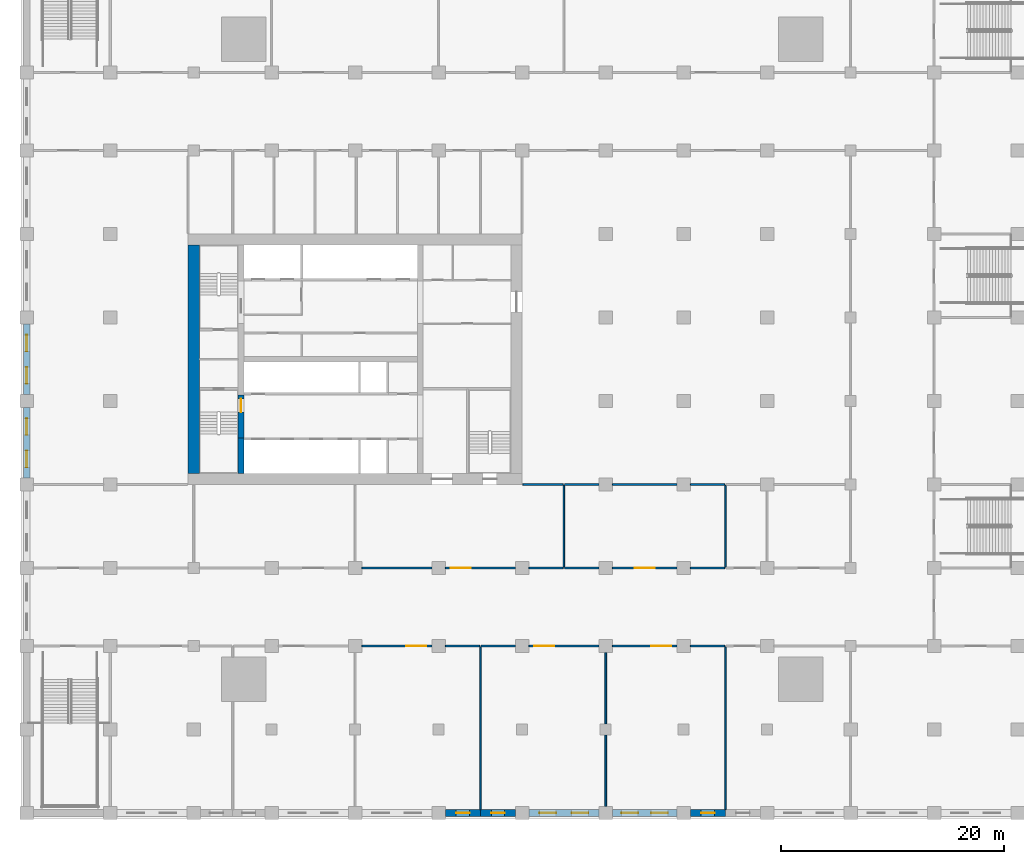
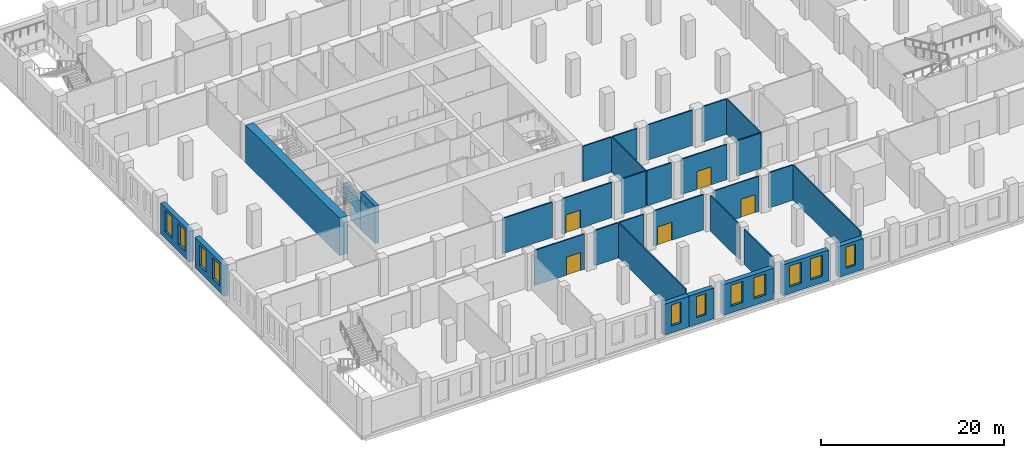
# One storey, part 4 of 32: 32 walls, 11 windows, 6 doors, 17 openings.
"""IFC4 building model written with IfcOpenShell, lengths in metres."""

import ifcopenshell
import ifcopenshell.guid

model = None  # the IFC model being written
_history = None  # IfcOwnerHistory: only IFC2X3 demands one
_inside = {}  # id of a spatial element -> (the spatial element, [elements in it])
_under = {}  # id of a project, library or spatial element -> (it, [spatial elements below it])
_declared = {}  # id of a project -> (the project, [libraries it declares])
_typed = {}  # id of a type object -> (the type object, [elements of that type])
_made_of = {}  # id of a material, layer set ... -> (it, [elements and type objects made of it])


def new_model(schema):
    """Start an empty IFC model of exactly this schema.

    Asked for "IFC4X3", IfcOpenShell would pick the latest addendum, in which some entities
    have other attributes; the version numbers below select the first issue.
    IFC2X3 requires an IfcOwnerHistory on every rooted entity: one is made here for all.
    """
    global model, _history
    if schema == "IFC4X3":
        model = ifcopenshell.file(schema_version=(4, 3, 0, 0))
    else:
        model = ifcopenshell.file(schema=schema)
    _inside.clear()
    _under.clear()
    _declared.clear()
    _typed.clear()
    _made_of.clear()
    _history = None
    if model.schema == "IFC2X3":
        org = make("IfcOrganization", Name="unknown")
        user = make(
            "IfcPersonAndOrganization",
            ThePerson=make("IfcPerson", FamilyName="unknown"),
            TheOrganization=org,
        )
        app = make(
            "IfcApplication",
            ApplicationDeveloper=org,
            Version="unknown",
            ApplicationFullName="unknown",
            ApplicationIdentifier="unknown",
        )
        _history = make(
            "IfcOwnerHistory",
            OwningUser=user,
            OwningApplication=app,
            ChangeAction="ADDED",
            CreationDate=0,
        )
    return model


def make(cls, **values):
    """One entity of the class cls with the attributes given. An attribute that is None is left unset."""
    return model.create_entity(
        cls, **{name: value for name, value in values.items() if value is not None}
    )


def rooted(cls, **values):
    """An entity with a GlobalId (a new one), such as an element, a storey or a relation."""
    return make(cls, GlobalId=ifcopenshell.guid.new(), OwnerHistory=_history, **values)


def si_unit(unit_type, name, prefix=None):
    """IfcSIUnit, for example si_unit("LENGTHUNIT", "METRE", prefix="MILLI")."""
    return make("IfcSIUnit", UnitType=unit_type, Prefix=prefix, Name=name)


def assignment(units):
    """IfcUnitAssignment: the units of a project."""
    return None if units is None else make("IfcUnitAssignment", Units=units)


def point(xyz):
    """IfcCartesianPoint."""
    return None if xyz is None else make("IfcCartesianPoint", Coordinates=xyz)


def direction(xyz):
    """IfcDirection."""
    return None if xyz is None else make("IfcDirection", DirectionRatios=xyz)


def frame(location, z_axis=None, x_axis=None):
    """IfcAxis2Placement3D, a coordinate frame: its origin and axes. An axis left out is left unset."""
    return make(
        "IfcAxis2Placement3D",
        Location=point(location),
        Axis=direction(z_axis),
        RefDirection=direction(x_axis),
    )


def frame_2d(location, x_axis=None):
    """IfcAxis2Placement2D, a coordinate frame in the plane: its origin and x axis."""
    return make(
        "IfcAxis2Placement2D", Location=point(location), RefDirection=direction(x_axis)
    )


def origin():
    """The frame at (0, 0, 0) with its axes left unset."""
    return frame((0.0, 0.0, 0.0))


def place(relative_to, where):
    """IfcLocalPlacement: puts the frame where relative to a parent placement (None: the world)."""
    return make(
        "IfcLocalPlacement", PlacementRelTo=relative_to, RelativePlacement=where
    )


def context(
    kind, dimensions, precision=None, world=None, true_north=None, identifier=None
):
    """IfcGeometricRepresentationContext, for example the 3D "Model" context."""
    return make(
        "IfcGeometricRepresentationContext",
        ContextIdentifier=identifier,
        ContextType=kind,
        CoordinateSpaceDimension=dimensions,
        Precision=precision,
        WorldCoordinateSystem=world,
        TrueNorth=true_north,
    )


def subcontext(parent, identifier, kind, view, scale=None):
    """IfcGeometricRepresentationSubContext, for example "Body" below "Model"."""
    return make(
        "IfcGeometricRepresentationSubContext",
        ContextIdentifier=identifier,
        ContextType=kind,
        ParentContext=parent,
        TargetScale=scale,
        TargetView=view,
    )


def project(units=None, contexts=None):
    """IfcProject with its units and contexts."""
    return rooted(
        "IfcProject",
        Name="project",
        RepresentationContexts=contexts,
        UnitsInContext=assignment(units),
    )


def spatial(cls, under=None, at=None, **own):
    """A site, building, storey or space (cls), placed at a placement, below another one or the project."""
    s = rooted(cls, ObjectPlacement=at, **own)
    if under is not None:
        _under.setdefault(under.id(), (under, []))[1].append(s)
    return s


def profile(cls, at=None, kind="AREA", **sizes):
    """A parametric profile (cls). Its sizes go by their IFC names, for example OverallWidth=200.0."""
    return make(cls, ProfileType=kind, Position=at, **sizes)


def rectangle(**sizes):
    """IfcRectangleProfileDef."""
    return profile("IfcRectangleProfileDef", **sizes)


def extrude(swept, where, along, depth):
    """IfcExtrudedAreaSolid: the profile swept, set in the frame where, extruded along a direction by depth."""
    return make(
        "IfcExtrudedAreaSolid",
        SweptArea=swept,
        Position=where,
        ExtrudedDirection=direction(along),
        Depth=depth,
    )


def shape(context_of_items, identifier, shape_type, items):
    """IfcShapeRepresentation: the items that make up one representation, for example the "Body"."""
    return make(
        "IfcShapeRepresentation",
        ContextOfItems=context_of_items,
        RepresentationIdentifier=identifier,
        RepresentationType=shape_type,
        Items=items,
    )


def material(Name=None, Category=None):
    """IfcMaterial."""
    return make("IfcMaterial", Name=Name, Category=Category)


def layer(
    of_material, thickness, ventilated=None, Name=None, Category=None, Priority=None
):
    """IfcMaterialLayer: one layer of a wall or slab, of a material (None: an air gap)."""
    return make(
        "IfcMaterialLayer",
        Material=of_material,
        LayerThickness=thickness,
        IsVentilated=ventilated,
        Name=Name,
        Category=Category,
        Priority=Priority,
    )


def layer_set(layers, Name=None):
    """IfcMaterialLayerSet."""
    return make("IfcMaterialLayerSet", MaterialLayers=layers, LayerSetName=Name)


def made_of(thing, what):
    """Note that an element or type object is made of a material, layer set ...; save() writes the relation."""
    if what is not None:
        _made_of.setdefault(what.id(), (what, []))[1].append(thing)
    return thing


def type_object(cls, material=None, **own):
    """A type object (cls), such as IfcWallType, which elements share."""
    return made_of(rooted(cls, **own), material)


def element(
    cls,
    number,
    at=None,
    inside=None,
    cuts=None,
    type_object=None,
    material=None,
    context=None,
    identifier="Body",
    shape_type=None,
    held_by="IfcProductDefinitionShape",
    body=None,
    shapes=None,
    **own,
):
    """One element of the class cls, such as IfcWall. Its Tag is "e" and its number.

    at: its placement. inside: the storey or other place that contains it. cuts: it is an
    opening in that element (IfcRelVoidsElement). A single representation is given by context,
    identifier, shape_type and body (its items); several are given by shapes. held_by: the class
    of the entity that holds the representations. save() writes the other relations.
    """
    e = rooted(cls, Tag="e%d" % number, ObjectPlacement=at, **own)
    if body is not None:
        shapes = [shape(context, identifier, shape_type, body)]
    if shapes is not None:
        e.Representation = make(held_by, Representations=shapes)
    if inside is not None:
        _inside.setdefault(inside.id(), (inside, []))[1].append(e)
    if cuts is not None:
        rooted(
            "IfcRelVoidsElement", RelatingBuildingElement=cuts, RelatedOpeningElement=e
        )
    if type_object is not None:
        _typed.setdefault(type_object.id(), (type_object, []))[1].append(e)
    return made_of(e, material)


def fill(opening, filler):
    """IfcRelFillsElement: the door or window that sits in an opening."""
    return rooted(
        "IfcRelFillsElement",
        RelatingOpeningElement=opening,
        RelatedBuildingElement=filler,
    )


def aggregate(whole, parts):
    """IfcRelAggregates: a whole, such as a stair, and the parts it consists of."""
    return rooted("IfcRelAggregates", RelatingObject=whole, RelatedObjects=parts)


def save(model, path):
    """Write the relations noted so far, then the file.

    IfcRelAggregates (storeys below a building ...), IfcRelContainedInSpatialStructure (elements
    in a storey), IfcRelDefinesByType, IfcRelAssociatesMaterial and IfcRelDeclares: one each for
    every whole, place, type object, material and project.
    """
    for whole, parts in _under.values():
        aggregate(whole, parts)
    for where, things in _inside.values():
        rooted(
            "IfcRelContainedInSpatialStructure",
            RelatedElements=things,
            RelatingStructure=where,
        )
    for kind, things in _typed.values():
        rooted("IfcRelDefinesByType", RelatedObjects=things, RelatingType=kind)
    for what, things in _made_of.values():
        rooted("IfcRelAssociatesMaterial", RelatedObjects=things, RelatingMaterial=what)
    for by, libraries in _declared.values():
        rooted("IfcRelDeclares", RelatingContext=by, RelatedDefinitions=libraries)
    model.write(path)


model = new_model("IFC4")

# Units and contexts
model_context = context("Model", 3, precision=1e-05, world=origin(), true_north=direction((0.0, 1.0)))
body_context = subcontext(model_context, "Body", "Model", "MODEL_VIEW")
ifc_project = project(units=[si_unit("LENGTHUNIT", "METRE"), si_unit("AREAUNIT", "SQUARE_METRE"), si_unit("VOLUMEUNIT", "CUBIC_METRE"), si_unit("PLANEANGLEUNIT", "RADIAN"), si_unit("MASSUNIT", "GRAM", prefix="KILO")], contexts=[model_context])

# Site, building, storey
site_placement = place(None, origin())
site = spatial("IfcSite", under=ifc_project, at=site_placement, CompositionType="ELEMENT")
building_placement = place(site_placement, origin())
building = spatial("IfcBuilding", under=site, at=building_placement, Name="Tamorin Gate", CompositionType="ELEMENT")
storey_placement = place(building_placement, frame((0.0, 0.0, 13.5)))
storey = spatial("IfcBuildingStorey", under=building, at=storey_placement, Name="L02", CompositionType="ELEMENT", Elevation=13.5)

# Wall, opening, door
ifc_material_1 = material(Name="Concrete masonry C20/25", Category="masonry")
ifc_layer_1 = layer(ifc_material_1, 0.14990234375)
ifc_layer_set_1 = layer_set([ifc_layer_1], Name="Partition 150")
wall_type_1 = type_object("IfcWallType", Name="Partition 150", PredefinedType="PARTITIONING", material=ifc_layer_set_1)
wall_1_placement = place(storey_placement, frame((45.60009765625, 45.5, 0.0), z_axis=(0.0, 0.0, 1.0), x_axis=(1.0, 0.0, 0.0)))
wall_1 = element("IfcWall", 1, at=wall_1_placement, inside=storey, type_object=wall_type_1, Name="Partition 150 L02", PredefinedType="PARTITIONING", context=body_context, shape_type="SweptSolid", body=[
    extrude(rectangle(XDim=6.2998046875, YDim=0.14990234375, at=frame_2d((3.14990234375, 0.0))), origin(), (0.0, 0.0, 1.0), 4.699951171875),
])
opening_1_placement = place(wall_1_placement, frame((4.0, 0.0, 0.0)))
opening_1 = element("IfcOpeningElement", 2, at=opening_1_placement, cuts=wall_1, Name="Opening DP3", PredefinedType="OPENING", context=body_context, shape_type="SweptSolid", body=[
    extrude(rectangle(XDim=1.800048828125, YDim=2.39990234375, at=frame_2d((0.89990234375, 1.199951171875))), frame((0.0, 0.0849609375, 0.0), z_axis=(0.0, -1.0, 0.0), x_axis=(1.0, 0.0, 0.0)), (0.0, 0.0, 1.0), 0.169921875),
])
ifc_material_2 = material(Name="Steel and glass", Category="steel")
door_type_1 = type_object("IfcDoorType", Name="Door pair 1800", OperationType="DOUBLE_DOOR_SINGLE_SWING", PredefinedType="DOOR", material=ifc_material_2)
door_1_placement = place(opening_1_placement, origin())
door_1 = element("IfcDoor", 3, at=door_1_placement, inside=storey, type_object=door_type_1, Name="Door pair 1800 L02", OperationType="SINGLE_SWING_LEFT", OverallHeight=2.39990234375, OverallWidth=1.800048828125, PredefinedType="DOOR", context=body_context, shape_type="SweptSolid", body=[
    extrude(rectangle(XDim=1.800048828125, YDim=2.39990234375, at=frame_2d((0.89990234375, 1.199951171875))), frame((0.0, 0.02490234375, 0.0), z_axis=(0.0, -1.0, 0.0), x_axis=(1.0, 0.0, 0.0)), (0.0, 0.0, 1.0), 0.050048828125),
])
fill(opening_1, door_1)

# Walls
for number, where, z_axis, x_axis, name in (
    (4, (53.10009765625, 45.5, 0.0), (0.0, 0.0, 1.0), (1.0, 0.0, 0.0), "Partition 150 L02"),
    (5, (56.324951171875, 45.5, 0.0), (0.0, 0.0, 1.0), (1.0, 0.0, 0.0), "Partition 150 L02"),
):
    element("IfcWall", number, at=place(storey_placement, frame(where, z_axis=z_axis, x_axis=x_axis)), inside=storey, type_object=wall_type_1, Name=name, PredefinedType="PARTITIONING", context=body_context, shape_type="SweptSolid", body=[
        extrude(rectangle(XDim=3.074951171875, YDim=0.14990234375, at=frame_2d((1.53759765625, 0.0))), origin(), (0.0, 0.0, 1.0), 4.699951171875),
    ])

# Wall, opening, door
wall_2_placement = place(storey_placement, frame((60.60009765625, 45.5, 0.0), z_axis=(0.0, 0.0, 1.0), x_axis=(1.0, 0.0, 0.0)))
wall_2 = element("IfcWall", 6, at=wall_2_placement, inside=storey, type_object=wall_type_1, Name="Partition 150 L02", PredefinedType="PARTITIONING", context=body_context, shape_type="SweptSolid", body=[
    extrude(rectangle(XDim=6.2998046875, YDim=0.14990234375, at=frame_2d((3.14990234375, 0.0))), origin(), (0.0, 0.0, 1.0), 4.699951171875),
])
opening_2_placement = place(wall_2_placement, frame((0.5, 0.0, 0.0)))
opening_2 = element("IfcOpeningElement", 7, at=opening_2_placement, cuts=wall_2, Name="Opening DP3", PredefinedType="OPENING", context=body_context, shape_type="SweptSolid", body=[
    extrude(rectangle(XDim=1.800048828125, YDim=2.39990234375, at=frame_2d((0.89990234375, 1.199951171875))), frame((0.0, 0.0849609375, 0.0), z_axis=(0.0, -1.0, 0.0), x_axis=(1.0, 0.0, 0.0)), (0.0, 0.0, 1.0), 0.169921875),
])
door_2_placement = place(opening_2_placement, origin())
door_2 = element("IfcDoor", 8, at=door_2_placement, inside=storey, type_object=door_type_1, Name="Door pair 1800 L02", OperationType="SINGLE_SWING_LEFT", OverallHeight=2.39990234375, OverallWidth=1.800048828125, PredefinedType="DOOR", context=body_context, shape_type="SweptSolid", body=[
    extrude(rectangle(XDim=1.800048828125, YDim=2.39990234375, at=frame_2d((0.89990234375, 1.199951171875))), frame((0.0, 0.02490234375, 0.0), z_axis=(0.0, -1.0, 0.0), x_axis=(1.0, 0.0, 0.0)), (0.0, 0.0, 1.0), 0.050048828125),
])
fill(opening_2, door_2)

wall_3_placement = place(storey_placement, frame((68.10009765625, 45.5, 0.0), z_axis=(0.0, 0.0, 1.0), x_axis=(1.0, 0.0, 0.0)))
wall_3 = element("IfcWall", 9, at=wall_3_placement, inside=storey, type_object=wall_type_1, Name="Partition 150 L02", PredefinedType="PARTITIONING", context=body_context, shape_type="SweptSolid", body=[
    extrude(rectangle(XDim=5.7998046875, YDim=0.14990234375, at=frame_2d((2.89990234375, 0.0))), origin(), (0.0, 0.0, 1.0), 4.699951171875),
])
opening_3_placement = place(wall_3_placement, frame((3.5, 0.0, 0.0)))
opening_3 = element("IfcOpeningElement", 10, at=opening_3_placement, cuts=wall_3, Name="Opening DP3", PredefinedType="OPENING", context=body_context, shape_type="SweptSolid", body=[
    extrude(rectangle(XDim=1.800048828125, YDim=2.39990234375, at=frame_2d((0.89990234375, 1.199951171875))), frame((0.0, 0.0849609375, 0.0), z_axis=(0.0, -1.0, 0.0), x_axis=(1.0, 0.0, 0.0)), (0.0, 0.0, 1.0), 0.169921875),
])
door_3_placement = place(opening_3_placement, origin())
door_3 = element("IfcDoor", 11, at=door_3_placement, inside=storey, type_object=door_type_1, Name="Door pair 1800 L02", OperationType="SINGLE_SWING_LEFT", OverallHeight=2.39990234375, OverallWidth=1.800048828125, PredefinedType="DOOR", context=body_context, shape_type="SweptSolid", body=[
    extrude(rectangle(XDim=1.800048828125, YDim=2.39990234375, at=frame_2d((0.89990234375, 1.199951171875))), frame((0.0, 0.02490234375, 0.0), z_axis=(0.0, -1.0, 0.0), x_axis=(1.0, 0.0, 0.0)), (0.0, 0.0, 1.0), 0.050048828125),
])
fill(opening_3, door_3)

# Walls
wall_4_placement = place(storey_placement, frame((75.10009765625, 45.5, 0.0), z_axis=(0.0, 0.0, 1.0), x_axis=(1.0, 0.0, 0.0)))
element("IfcWall", 12, at=wall_4_placement, inside=storey, type_object=wall_type_1, Name="Partition 150 L02", PredefinedType="PARTITIONING", context=body_context, shape_type="SweptSolid", body=[
    extrude(rectangle(XDim=3.074951171875, YDim=0.14990234375, at=frame_2d((1.53759765625, 0.0))), origin(), (0.0, 0.0, 1.0), 4.699951171875),
])
wall_5_placement = place(storey_placement, frame((45.60009765625, 52.5, 0.0), z_axis=(0.0, 0.0, 1.0), x_axis=(1.0, 0.0, 0.0)))
element("IfcWall", 13, at=wall_5_placement, inside=storey, type_object=wall_type_1, Name="Partition 150 L02", PredefinedType="PARTITIONING", context=body_context, shape_type="SweptSolid", body=[
    extrude(rectangle(XDim=6.2998046875, YDim=0.14990234375, at=frame_2d((3.14990234375, 0.0))), origin(), (0.0, 0.0, 1.0), 4.699951171875),
])

# Wall, opening, door
wall_6_placement = place(storey_placement, frame((59.39990234375, 52.5, 0.0), z_axis=(0.0, 0.0, 1.0), x_axis=(-1.0, 0.0, 0.0)))
wall_6 = element("IfcWall", 14, at=wall_6_placement, inside=storey, type_object=wall_type_1, Name="Partition 150 L02", PredefinedType="PARTITIONING", context=body_context, shape_type="SweptSolid", body=[
    extrude(rectangle(XDim=6.2998046875, YDim=0.14990234375, at=frame_2d((3.14990234375, 0.0))), origin(), (0.0, 0.0, 1.0), 4.699951171875),
])
opening_4_placement = place(wall_6_placement, frame((4.0, 0.0, 0.0)))
opening_4 = element("IfcOpeningElement", 15, at=opening_4_placement, cuts=wall_6, Name="Opening DP3", PredefinedType="OPENING", context=body_context, shape_type="SweptSolid", body=[
    extrude(rectangle(XDim=1.800048828125, YDim=2.39990234375, at=frame_2d((0.89990234375, 1.199951171875))), frame((0.0, 0.0849609375, 0.0), z_axis=(0.0, -1.0, 0.0), x_axis=(1.0, 0.0, 0.0)), (0.0, 0.0, 1.0), 0.169921875),
])
door_4_placement = place(opening_4_placement, origin())
door_4 = element("IfcDoor", 16, at=door_4_placement, inside=storey, type_object=door_type_1, Name="Door pair 1800 L02", OperationType="SINGLE_SWING_LEFT", OverallHeight=2.39990234375, OverallWidth=1.800048828125, PredefinedType="DOOR", context=body_context, shape_type="SweptSolid", body=[
    extrude(rectangle(XDim=1.800048828125, YDim=2.39990234375, at=frame_2d((0.89990234375, 1.199951171875))), frame((0.0, 0.02490234375, 0.0), z_axis=(0.0, -1.0, 0.0), x_axis=(1.0, 0.0, 0.0)), (0.0, 0.0, 1.0), 0.050048828125),
])
fill(opening_4, door_4)

# Walls
for number, where, z_axis, x_axis, name in (
    (17, (60.60009765625, 52.5, 0.0), (0.0, 0.0, 1.0), (1.0, 0.0, 0.0), "Partition 150 L02"),
    (18, (63.824951171875, 52.5, 0.0), (0.0, 0.0, 1.0), (1.0, 0.0, 0.0), "Partition 150 L02"),
):
    element("IfcWall", number, at=place(storey_placement, frame(where, z_axis=z_axis, x_axis=x_axis)), inside=storey, type_object=wall_type_1, Name=name, PredefinedType="PARTITIONING", context=body_context, shape_type="SweptSolid", body=[
        extrude(rectangle(XDim=3.074951171875, YDim=0.14990234375, at=frame_2d((1.53759765625, 0.0))), origin(), (0.0, 0.0, 1.0), 4.699951171875),
    ])

# Wall, opening, door
wall_7_placement = place(storey_placement, frame((73.89990234375, 52.5, 0.0), z_axis=(0.0, 0.0, 1.0), x_axis=(-1.0, 0.0, 0.0)))
wall_7 = element("IfcWall", 19, at=wall_7_placement, inside=storey, type_object=wall_type_1, Name="Partition 150 L02", PredefinedType="PARTITIONING", context=body_context, shape_type="SweptSolid", body=[
    extrude(rectangle(XDim=5.7998046875, YDim=0.14990234375, at=frame_2d((2.89990234375, 0.0))), origin(), (0.0, 0.0, 1.0), 4.699951171875),
])
opening_5_placement = place(wall_7_placement, frame((2.0, 0.0, 0.0)))
opening_5 = element("IfcOpeningElement", 20, at=opening_5_placement, cuts=wall_7, Name="Opening DP3", PredefinedType="OPENING", context=body_context, shape_type="SweptSolid", body=[
    extrude(rectangle(XDim=1.800048828125, YDim=2.39990234375, at=frame_2d((0.89990234375, 1.199951171875))), frame((0.0, 0.0849609375, 0.0), z_axis=(0.0, -1.0, 0.0), x_axis=(1.0, 0.0, 0.0)), (0.0, 0.0, 1.0), 0.169921875),
])
door_5_placement = place(opening_5_placement, origin())
door_5 = element("IfcDoor", 21, at=door_5_placement, inside=storey, type_object=door_type_1, Name="Door pair 1800 L02", OperationType="SINGLE_SWING_LEFT", OverallHeight=2.39990234375, OverallWidth=1.800048828125, PredefinedType="DOOR", context=body_context, shape_type="SweptSolid", body=[
    extrude(rectangle(XDim=1.800048828125, YDim=2.39990234375, at=frame_2d((0.89990234375, 1.199951171875))), frame((0.0, 0.02490234375, 0.0), z_axis=(0.0, -1.0, 0.0), x_axis=(1.0, 0.0, 0.0)), (0.0, 0.0, 1.0), 0.050048828125),
])
fill(opening_5, door_5)

# Walls
wall_8_placement = place(storey_placement, frame((75.10009765625, 52.5, 0.0), z_axis=(0.0, 0.0, 1.0), x_axis=(1.0, 0.0, 0.0)))
element("IfcWall", 22, at=wall_8_placement, inside=storey, type_object=wall_type_1, Name="Partition 150 L02", PredefinedType="PARTITIONING", context=body_context, shape_type="SweptSolid", body=[
    extrude(rectangle(XDim=3.074951171875, YDim=0.14990234375, at=frame_2d((1.53759765625, 0.0))), origin(), (0.0, 0.0, 1.0), 4.699951171875),
])
wall_9_placement = place(storey_placement, frame((60.074951171875, 60.0, 0.0), z_axis=(0.0, 0.0, 1.0), x_axis=(1.0, 0.0, 0.0)))
element("IfcWall", 23, at=wall_9_placement, inside=storey, type_object=wall_type_1, Name="Partition 150 L02", PredefinedType="PARTITIONING", context=body_context, shape_type="SweptSolid", body=[
    extrude(rectangle(XDim=3.60009765625, YDim=0.14990234375, at=frame_2d((1.800048828125, 0.0))), origin(), (0.0, 0.0, 1.0), 4.699951171875),
])
wall_10_placement = place(storey_placement, frame((63.824951171875, 60.0, 0.0), z_axis=(0.0, 0.0, 1.0), x_axis=(1.0, 0.0, 0.0)))
element("IfcWall", 24, at=wall_10_placement, inside=storey, type_object=wall_type_1, Name="Partition 150 L02", PredefinedType="PARTITIONING", context=body_context, shape_type="SweptSolid", body=[
    extrude(rectangle(XDim=3.074951171875, YDim=0.14990234375, at=frame_2d((1.53759765625, 0.0))), origin(), (0.0, 0.0, 1.0), 4.699951171875),
])
wall_11_placement = place(storey_placement, frame((68.10009765625, 60.0, 0.0), z_axis=(0.0, 0.0, 1.0), x_axis=(1.0, 0.0, 0.0)))
element("IfcWall", 25, at=wall_11_placement, inside=storey, type_object=wall_type_1, Name="Partition 150 L02", PredefinedType="PARTITIONING", context=body_context, shape_type="SweptSolid", body=[
    extrude(rectangle(XDim=5.7998046875, YDim=0.14990234375, at=frame_2d((2.89990234375, 0.0))), origin(), (0.0, 0.0, 1.0), 4.699951171875),
])
wall_12_placement = place(storey_placement, frame((75.10009765625, 60.0, 0.0), z_axis=(0.0, 0.0, 1.0), x_axis=(1.0, 0.0, 0.0)))
element("IfcWall", 26, at=wall_12_placement, inside=storey, type_object=wall_type_1, Name="Partition 150 L02", PredefinedType="PARTITIONING", context=body_context, shape_type="SweptSolid", body=[
    extrude(rectangle(XDim=3.074951171875, YDim=0.14990234375, at=frame_2d((1.53759765625, 0.0))), origin(), (0.0, 0.0, 1.0), 4.699951171875),
])
wall_13_placement = place(storey_placement, frame((56.25, 30.800048828125, 0.0), z_axis=(0.0, 0.0, 1.0), x_axis=(0.0, 1.0, 0.0)))
element("IfcWall", 27, at=wall_13_placement, inside=storey, type_object=wall_type_1, Name="Partition 150 L02", PredefinedType="PARTITIONING", context=body_context, shape_type="SweptSolid", body=[
    extrude(rectangle(XDim=14.625, YDim=0.14990234375, at=frame_2d((7.3125, 0.0))), origin(), (0.0, 0.0, 1.0), 4.699951171875),
])
for number, where, z_axis, x_axis, name in (
    (28, (67.5, 31.10009765625, 0.0), (0.0, 0.0, 1.0), (0.0, 1.0, 0.0), "Partition 150 L02"),
    (29, (67.5, 38.5, 0.0), (0.0, 0.0, 1.0), (0.0, 1.0, 0.0), "Partition 150 L02"),
):
    element("IfcWall", number, at=place(storey_placement, frame(where, z_axis=z_axis, x_axis=x_axis)), inside=storey, type_object=wall_type_1, Name=name, PredefinedType="PARTITIONING", context=body_context, shape_type="SweptSolid", body=[
        extrude(rectangle(XDim=6.39990234375, YDim=0.14990234375, at=frame_2d((3.199951171875, 0.0))), origin(), (0.0, 0.0, 1.0), 4.699951171875),
    ])
wall_14_placement = place(storey_placement, frame((78.25, 30.800048828125, 0.0), z_axis=(0.0, 0.0, 1.0), x_axis=(0.0, 1.0, 0.0)))
element("IfcWall", 30, at=wall_14_placement, inside=storey, type_object=wall_type_1, Name="Partition 150 L02", PredefinedType="PARTITIONING", context=body_context, shape_type="SweptSolid", body=[
    extrude(rectangle(XDim=14.625, YDim=0.14990234375, at=frame_2d((7.3125, 0.0))), origin(), (0.0, 0.0, 1.0), 4.699951171875),
])
for number, where, z_axis, x_axis, name in (
    (31, (78.25, 52.574951171875, 0.0), (0.0, 0.0, 1.0), (0.0, 1.0, 0.0), "Partition 150 L02"),
    (32, (63.75, 52.574951171875, 0.0), (0.0, 0.0, 1.0), (0.0, 1.0, 0.0), "Partition 150 L02"),
):
    element("IfcWall", number, at=place(storey_placement, frame(where, z_axis=z_axis, x_axis=x_axis)), inside=storey, type_object=wall_type_1, Name=name, PredefinedType="PARTITIONING", context=body_context, shape_type="SweptSolid", body=[
        extrude(rectangle(XDim=7.35009765625, YDim=0.14990234375, at=frame_2d((3.675048828125, 0.0))), origin(), (0.0, 0.0, 1.0), 4.699951171875),
    ])

# Wall, opening, window
ifc_material_3 = material(Name="Precast concrete C40/50", Category="concrete")
ifc_layer_2 = layer(ifc_material_3, 0.60009765625)
ifc_layer_set_2 = layer_set([ifc_layer_2], Name="Precast concrete C40/50")
wall_type_2 = type_object("IfcWallType", Name="Precast plinth wall 600", PredefinedType="PARTITIONING", material=ifc_layer_set_2)
wall_15_placement = place(storey_placement, frame((53.10009765625, 30.5, 0.0), z_axis=(0.0, 0.0, 1.0), x_axis=(1.0, 0.0, 0.0)))
wall_15 = element("IfcWall", 33, at=wall_15_placement, inside=storey, type_object=wall_type_2, Name="Precast plinth wall 600 L02", PredefinedType="PARTITIONING", context=body_context, shape_type="SweptSolid", body=[
    extrude(rectangle(XDim=3.14990234375, YDim=0.60009765625, at=frame_2d((1.574951171875, 0.0))), origin(), (0.0, 0.0, 1.0), 4.10009765625),
])
opening_6_placement = place(wall_15_placement, frame((0.97509765625, 0.0, 0.89990234375)))
opening_6 = element("IfcOpeningElement", 34, at=opening_6_placement, cuts=wall_15, Name="Opening PWN4", PredefinedType="OPENING", context=body_context, shape_type="SweptSolid", body=[
    extrude(rectangle(XDim=1.199951171875, YDim=2.800048828125, at=frame_2d((0.60009765625, 1.39990234375))), frame((0.0, 0.31005859375, 0.0), z_axis=(0.0, -1.0, 0.0), x_axis=(1.0, 0.0, 0.0)), (0.0, 0.0, 1.0), 0.6201171875),
])
ifc_material_4 = material(Name="Aluminium and glass", Category="aluminium")
window_type_1 = type_object("IfcWindowType", Name="Plinth window 1200x2800", PartitioningType="DOUBLE_PANEL_VERTICAL", PredefinedType="WINDOW", material=ifc_material_4)
window_1_placement = place(opening_6_placement, origin())
window_1 = element("IfcWindow", 35, at=window_1_placement, inside=storey, type_object=window_type_1, Name="Plinth window 1200x2800", OverallHeight=2.800048828125, OverallWidth=1.199951171875, PartitioningType="SINGLE_PANEL", PredefinedType="WINDOW", context=body_context, shape_type="SweptSolid", body=[
    extrude(rectangle(XDim=1.199951171875, YDim=2.800048828125, at=frame_2d((0.60009765625, 1.39990234375))), frame((0.0, 0.030029296875, 0.0), z_axis=(0.0, -1.0, 0.0), x_axis=(1.0, 0.0, 0.0)), (0.0, 0.0, 1.0), 0.06005859375),
])
fill(opening_6, window_1)

wall_16_placement = place(storey_placement, frame((56.25, 30.5, 0.0), z_axis=(0.0, 0.0, 1.0), x_axis=(1.0, 0.0, 0.0)))
wall_16 = element("IfcWall", 36, at=wall_16_placement, inside=storey, type_object=wall_type_2, Name="Precast plinth wall 600 L02", PredefinedType="PARTITIONING", context=body_context, shape_type="SweptSolid", body=[
    extrude(rectangle(XDim=3.14990234375, YDim=0.60009765625, at=frame_2d((1.574951171875, 0.0))), origin(), (0.0, 0.0, 1.0), 4.10009765625),
])
opening_7_placement = place(wall_16_placement, frame((0.97509765625, 0.0, 0.89990234375)))
opening_7 = element("IfcOpeningElement", 37, at=opening_7_placement, cuts=wall_16, Name="Opening PWN4", PredefinedType="OPENING", context=body_context, shape_type="SweptSolid", body=[
    extrude(rectangle(XDim=1.199951171875, YDim=2.800048828125, at=frame_2d((0.60009765625, 1.39990234375))), frame((0.0, 0.31005859375, 0.0), z_axis=(0.0, -1.0, 0.0), x_axis=(1.0, 0.0, 0.0)), (0.0, 0.0, 1.0), 0.6201171875),
])
window_2_placement = place(opening_7_placement, origin())
window_2 = element("IfcWindow", 38, at=window_2_placement, inside=storey, type_object=window_type_1, Name="Plinth window 1200x2800", OverallHeight=2.800048828125, OverallWidth=1.199951171875, PartitioningType="SINGLE_PANEL", PredefinedType="WINDOW", context=body_context, shape_type="SweptSolid", body=[
    extrude(rectangle(XDim=1.199951171875, YDim=2.800048828125, at=frame_2d((0.60009765625, 1.39990234375))), frame((0.0, 0.030029296875, 0.0), z_axis=(0.0, -1.0, 0.0), x_axis=(1.0, 0.0, 0.0)), (0.0, 0.0, 1.0), 0.06005859375),
])
fill(opening_7, window_2)

# Wall, openings, windows
wall_17_placement = place(storey_placement, frame((60.60009765625, 30.5, 0.0), z_axis=(0.0, 0.0, 1.0), x_axis=(1.0, 0.0, 0.0)))
wall_17 = element("IfcWall", 39, at=wall_17_placement, inside=storey, type_object=wall_type_2, Name="Precast plinth wall 600 L02", PredefinedType="PARTITIONING", context=body_context, shape_type="SweptSolid", body=[
    extrude(rectangle(XDim=6.2998046875, YDim=0.60009765625, at=frame_2d((3.14990234375, 0.0))), origin(), (0.0, 0.0, 1.0), 4.10009765625),
])
opening_8_placement = place(wall_17_placement, frame((0.950927734375, 0.0, 0.89990234375)))
opening_8 = element("IfcOpeningElement", 40, at=opening_8_placement, cuts=wall_17, Name="Opening PWN5", PredefinedType="OPENING", context=body_context, shape_type="SweptSolid", body=[
    extrude(rectangle(XDim=1.5, YDim=2.800048828125, at=frame_2d((0.75, 1.39990234375))), frame((0.0, 0.31005859375, 0.0), z_axis=(0.0, -1.0, 0.0), x_axis=(1.0, 0.0, 0.0)), (0.0, 0.0, 1.0), 0.6201171875),
])
opening_9_placement = place(wall_17_placement, frame((3.84912109375, 0.0, 0.89990234375)))
opening_9 = element("IfcOpeningElement", 41, at=opening_9_placement, cuts=wall_17, Name="Opening PWN5", PredefinedType="OPENING", context=body_context, shape_type="SweptSolid", body=[
    extrude(rectangle(XDim=1.5, YDim=2.800048828125, at=frame_2d((0.75, 1.39990234375))), frame((0.0, 0.31005859375, 0.0), z_axis=(0.0, -1.0, 0.0), x_axis=(1.0, 0.0, 0.0)), (0.0, 0.0, 1.0), 0.6201171875),
])
window_type_2 = type_object("IfcWindowType", Name="Plinth window 1500x2800", PartitioningType="DOUBLE_PANEL_VERTICAL", PredefinedType="WINDOW", material=ifc_material_4)
window_3_placement = place(opening_8_placement, origin())
window_3 = element("IfcWindow", 42, at=window_3_placement, inside=storey, type_object=window_type_2, Name="Plinth window 1500x2800", OverallHeight=2.800048828125, OverallWidth=1.5, PartitioningType="SINGLE_PANEL", PredefinedType="WINDOW", context=body_context, shape_type="SweptSolid", body=[
    extrude(rectangle(XDim=1.5, YDim=2.800048828125, at=frame_2d((0.75, 1.39990234375))), frame((0.0, 0.030029296875, 0.0), z_axis=(0.0, -1.0, 0.0), x_axis=(1.0, 0.0, 0.0)), (0.0, 0.0, 1.0), 0.06005859375),
])
fill(opening_8, window_3)
window_4_placement = place(opening_9_placement, origin())
window_4 = element("IfcWindow", 43, at=window_4_placement, inside=storey, type_object=window_type_2, Name="Plinth window 1500x2800", OverallHeight=2.800048828125, OverallWidth=1.5, PartitioningType="SINGLE_PANEL", PredefinedType="WINDOW", context=body_context, shape_type="SweptSolid", body=[
    extrude(rectangle(XDim=1.5, YDim=2.800048828125, at=frame_2d((0.75, 1.39990234375))), frame((0.0, 0.030029296875, 0.0), z_axis=(0.0, -1.0, 0.0), x_axis=(1.0, 0.0, 0.0)), (0.0, 0.0, 1.0), 0.06005859375),
])
fill(opening_9, window_4)

wall_18_placement = place(storey_placement, frame((68.10009765625, 30.5, 0.0), z_axis=(0.0, 0.0, 1.0), x_axis=(1.0, 0.0, 0.0)))
wall_18 = element("IfcWall", 44, at=wall_18_placement, inside=storey, type_object=wall_type_2, Name="Precast plinth wall 600 L02", PredefinedType="PARTITIONING", context=body_context, shape_type="SweptSolid", body=[
    extrude(rectangle(XDim=5.7998046875, YDim=0.60009765625, at=frame_2d((2.89990234375, 0.0))), origin(), (0.0, 0.0, 1.0), 4.10009765625),
])
opening_10_placement = place(wall_18_placement, frame((0.81591796875, 0.0, 0.89990234375)))
opening_10 = element("IfcOpeningElement", 45, at=opening_10_placement, cuts=wall_18, Name="Opening PWN5", PredefinedType="OPENING", context=body_context, shape_type="SweptSolid", body=[
    extrude(rectangle(XDim=1.5, YDim=2.800048828125, at=frame_2d((0.75, 1.39990234375))), frame((0.0, 0.31005859375, 0.0), z_axis=(0.0, -1.0, 0.0), x_axis=(1.0, 0.0, 0.0)), (0.0, 0.0, 1.0), 0.6201171875),
])
opening_11_placement = place(wall_18_placement, frame((3.48388671875, 0.0, 0.89990234375)))
opening_11 = element("IfcOpeningElement", 46, at=opening_11_placement, cuts=wall_18, Name="Opening PWN5", PredefinedType="OPENING", context=body_context, shape_type="SweptSolid", body=[
    extrude(rectangle(XDim=1.5, YDim=2.800048828125, at=frame_2d((0.75, 1.39990234375))), frame((0.0, 0.31005859375, 0.0), z_axis=(0.0, -1.0, 0.0), x_axis=(1.0, 0.0, 0.0)), (0.0, 0.0, 1.0), 0.6201171875),
])
window_5_placement = place(opening_10_placement, origin())
window_5 = element("IfcWindow", 47, at=window_5_placement, inside=storey, type_object=window_type_2, Name="Plinth window 1500x2800", OverallHeight=2.800048828125, OverallWidth=1.5, PartitioningType="SINGLE_PANEL", PredefinedType="WINDOW", context=body_context, shape_type="SweptSolid", body=[
    extrude(rectangle(XDim=1.5, YDim=2.800048828125, at=frame_2d((0.75, 1.39990234375))), frame((0.0, 0.030029296875, 0.0), z_axis=(0.0, -1.0, 0.0), x_axis=(1.0, 0.0, 0.0)), (0.0, 0.0, 1.0), 0.06005859375),
])
fill(opening_10, window_5)
window_6_placement = place(opening_11_placement, origin())
window_6 = element("IfcWindow", 48, at=window_6_placement, inside=storey, type_object=window_type_2, Name="Plinth window 1500x2800", OverallHeight=2.800048828125, OverallWidth=1.5, PartitioningType="SINGLE_PANEL", PredefinedType="WINDOW", context=body_context, shape_type="SweptSolid", body=[
    extrude(rectangle(XDim=1.5, YDim=2.800048828125, at=frame_2d((0.75, 1.39990234375))), frame((0.0, 0.030029296875, 0.0), z_axis=(0.0, -1.0, 0.0), x_axis=(1.0, 0.0, 0.0)), (0.0, 0.0, 1.0), 0.06005859375),
])
fill(opening_11, window_6)

# Wall, opening, window
wall_19_placement = place(storey_placement, frame((75.10009765625, 30.5, 0.0), z_axis=(0.0, 0.0, 1.0), x_axis=(1.0, 0.0, 0.0)))
wall_19 = element("IfcWall", 49, at=wall_19_placement, inside=storey, type_object=wall_type_2, Name="Precast plinth wall 600 L02", PredefinedType="PARTITIONING", context=body_context, shape_type="SweptSolid", body=[
    extrude(rectangle(XDim=3.14990234375, YDim=0.60009765625, at=frame_2d((1.574951171875, 0.0))), origin(), (0.0, 0.0, 1.0), 4.10009765625),
])
opening_12_placement = place(wall_19_placement, frame((0.97509765625, 0.0, 0.89990234375)))
opening_12 = element("IfcOpeningElement", 50, at=opening_12_placement, cuts=wall_19, Name="Opening PWN4", PredefinedType="OPENING", context=body_context, shape_type="SweptSolid", body=[
    extrude(rectangle(XDim=1.199951171875, YDim=2.800048828125, at=frame_2d((0.60009765625, 1.39990234375))), frame((0.0, 0.31005859375, 0.0), z_axis=(0.0, -1.0, 0.0), x_axis=(1.0, 0.0, 0.0)), (0.0, 0.0, 1.0), 0.6201171875),
])
window_7_placement = place(opening_12_placement, origin())
window_7 = element("IfcWindow", 51, at=window_7_placement, inside=storey, type_object=window_type_1, Name="Plinth window 1200x2800", OverallHeight=2.800048828125, OverallWidth=1.199951171875, PartitioningType="SINGLE_PANEL", PredefinedType="WINDOW", context=body_context, shape_type="SweptSolid", body=[
    extrude(rectangle(XDim=1.199951171875, YDim=2.800048828125, at=frame_2d((0.60009765625, 1.39990234375))), frame((0.0, 0.030029296875, 0.0), z_axis=(0.0, -1.0, 0.0), x_axis=(1.0, 0.0, 0.0)), (0.0, 0.0, 1.0), 0.06005859375),
])
fill(opening_12, window_7)

# Wall, openings, windows
wall_20_placement = place(storey_placement, frame((15.5, 60.60009765625, 0.0), z_axis=(0.0, 0.0, 1.0), x_axis=(0.0, 1.0, 0.0)))
wall_20 = element("IfcWall", 52, at=wall_20_placement, inside=storey, type_object=wall_type_2, Name="Precast plinth wall 600 L02", PredefinedType="PARTITIONING", context=body_context, shape_type="SweptSolid", body=[
    extrude(rectangle(XDim=6.2998046875, YDim=0.60009765625, at=frame_2d((3.14990234375, 0.0))), origin(), (0.0, 0.0, 1.0), 4.10009765625),
])
opening_13_placement = place(wall_20_placement, frame((0.950927734375, 0.0, 0.89990234375)))
opening_13 = element("IfcOpeningElement", 53, at=opening_13_placement, cuts=wall_20, Name="Opening PWN5", PredefinedType="OPENING", context=body_context, shape_type="SweptSolid", body=[
    extrude(rectangle(XDim=1.5, YDim=2.800048828125, at=frame_2d((0.75, 1.39990234375))), frame((0.0, 0.31005859375, 0.0), z_axis=(0.0, -1.0, 0.0), x_axis=(1.0, 0.0, 0.0)), (0.0, 0.0, 1.0), 0.6201171875),
])
opening_14_placement = place(wall_20_placement, frame((3.84912109375, 0.0, 0.89990234375)))
opening_14 = element("IfcOpeningElement", 54, at=opening_14_placement, cuts=wall_20, Name="Opening PWN5", PredefinedType="OPENING", context=body_context, shape_type="SweptSolid", body=[
    extrude(rectangle(XDim=1.5, YDim=2.800048828125, at=frame_2d((0.75, 1.39990234375))), frame((0.0, 0.31005859375, 0.0), z_axis=(0.0, -1.0, 0.0), x_axis=(1.0, 0.0, 0.0)), (0.0, 0.0, 1.0), 0.6201171875),
])
window_8_placement = place(opening_13_placement, origin())
window_8 = element("IfcWindow", 55, at=window_8_placement, inside=storey, type_object=window_type_2, Name="Plinth window 1500x2800", OverallHeight=2.800048828125, OverallWidth=1.5, PartitioningType="SINGLE_PANEL", PredefinedType="WINDOW", context=body_context, shape_type="SweptSolid", body=[
    extrude(rectangle(XDim=1.5, YDim=2.800048828125, at=frame_2d((0.75, 1.39990234375))), frame((0.0, 0.030029296875, 0.0), z_axis=(0.0, -1.0, 0.0), x_axis=(1.0, 0.0, 0.0)), (0.0, 0.0, 1.0), 0.06005859375),
])
fill(opening_13, window_8)
window_9_placement = place(opening_14_placement, origin())
window_9 = element("IfcWindow", 56, at=window_9_placement, inside=storey, type_object=window_type_2, Name="Plinth window 1500x2800", OverallHeight=2.800048828125, OverallWidth=1.5, PartitioningType="SINGLE_PANEL", PredefinedType="WINDOW", context=body_context, shape_type="SweptSolid", body=[
    extrude(rectangle(XDim=1.5, YDim=2.800048828125, at=frame_2d((0.75, 1.39990234375))), frame((0.0, 0.030029296875, 0.0), z_axis=(0.0, -1.0, 0.0), x_axis=(1.0, 0.0, 0.0)), (0.0, 0.0, 1.0), 0.06005859375),
])
fill(opening_14, window_9)

wall_21_placement = place(storey_placement, frame((15.5, 68.10009765625, 0.0), z_axis=(0.0, 0.0, 1.0), x_axis=(0.0, 1.0, 0.0)))
wall_21 = element("IfcWall", 57, at=wall_21_placement, inside=storey, type_object=wall_type_2, Name="Precast plinth wall 600 L02", PredefinedType="PARTITIONING", context=body_context, shape_type="SweptSolid", body=[
    extrude(rectangle(XDim=6.2998046875, YDim=0.60009765625, at=frame_2d((3.14990234375, 0.0))), origin(), (0.0, 0.0, 1.0), 4.10009765625),
])
opening_15_placement = place(wall_21_placement, frame((0.950927734375, 0.0, 0.89990234375)))
opening_15 = element("IfcOpeningElement", 58, at=opening_15_placement, cuts=wall_21, Name="Opening PWN5", PredefinedType="OPENING", context=body_context, shape_type="SweptSolid", body=[
    extrude(rectangle(XDim=1.5, YDim=2.800048828125, at=frame_2d((0.75, 1.39990234375))), frame((0.0, 0.31005859375, 0.0), z_axis=(0.0, -1.0, 0.0), x_axis=(1.0, 0.0, 0.0)), (0.0, 0.0, 1.0), 0.6201171875),
])
opening_16_placement = place(wall_21_placement, frame((3.84912109375, 0.0, 0.89990234375)))
opening_16 = element("IfcOpeningElement", 59, at=opening_16_placement, cuts=wall_21, Name="Opening PWN5", PredefinedType="OPENING", context=body_context, shape_type="SweptSolid", body=[
    extrude(rectangle(XDim=1.5, YDim=2.800048828125, at=frame_2d((0.75, 1.39990234375))), frame((0.0, 0.31005859375, 0.0), z_axis=(0.0, -1.0, 0.0), x_axis=(1.0, 0.0, 0.0)), (0.0, 0.0, 1.0), 0.6201171875),
])
window_10_placement = place(opening_15_placement, origin())
window_10 = element("IfcWindow", 60, at=window_10_placement, inside=storey, type_object=window_type_2, Name="Plinth window 1500x2800", OverallHeight=2.800048828125, OverallWidth=1.5, PartitioningType="SINGLE_PANEL", PredefinedType="WINDOW", context=body_context, shape_type="SweptSolid", body=[
    extrude(rectangle(XDim=1.5, YDim=2.800048828125, at=frame_2d((0.75, 1.39990234375))), frame((0.0, 0.030029296875, 0.0), z_axis=(0.0, -1.0, 0.0), x_axis=(1.0, 0.0, 0.0)), (0.0, 0.0, 1.0), 0.06005859375),
])
fill(opening_15, window_10)
window_11_placement = place(opening_16_placement, origin())
window_11 = element("IfcWindow", 61, at=window_11_placement, inside=storey, type_object=window_type_2, Name="Plinth window 1500x2800", OverallHeight=2.800048828125, OverallWidth=1.5, PartitioningType="SINGLE_PANEL", PredefinedType="WINDOW", context=body_context, shape_type="SweptSolid", body=[
    extrude(rectangle(XDim=1.5, YDim=2.800048828125, at=frame_2d((0.75, 1.39990234375))), frame((0.0, 0.030029296875, 0.0), z_axis=(0.0, -1.0, 0.0), x_axis=(1.0, 0.0, 0.0)), (0.0, 0.0, 1.0), 0.06005859375),
])
fill(opening_16, window_11)

# Walls
ifc_material_5 = material(Name="Concrete C80/95", Category="concrete")
ifc_layer_3 = layer(ifc_material_5, 0.5)
ifc_layer_set_3 = layer_set([ifc_layer_3], Name="RC core internal wall 500 C80/95")
wall_type_3 = type_object("IfcWallType", Name="RC core internal wall 500 C80/95", PredefinedType="SHEAR", material=ifc_layer_set_3)
wall_22_placement = place(storey_placement, frame((34.75, 61.0, 0.0), z_axis=(0.0, 0.0, 1.0), x_axis=(0.0, 1.0, 0.0)))
element("IfcWall", 62, at=wall_22_placement, inside=storey, type_object=wall_type_3, Name="Core cross wall L02", PredefinedType="SHEAR", context=body_context, shape_type="SweptSolid", body=[
    extrude(rectangle(XDim=3.199951171875, YDim=0.5, at=frame_2d((1.60009765625, 0.0))), origin(), (0.0, 0.0, 1.0), 5.0),
])
ifc_layer_4 = layer(ifc_material_5, 1.0)
ifc_layer_set_4 = layer_set([ifc_layer_4], Name="RC core wall 1000 C80/95")
wall_type_4 = type_object("IfcWallType", Name="RC core wall 1000 C80/95", PredefinedType="SHEAR", material=ifc_layer_set_4)
wall_23_placement = place(storey_placement, frame((30.5, 61.0, 0.0), z_axis=(0.0, 0.0, 1.0), x_axis=(0.0, 1.0, 0.0)))
element("IfcWall", 63, at=wall_23_placement, inside=storey, type_object=wall_type_4, Name="Core wall L02", PredefinedType="SHEAR", context=body_context, shape_type="SweptSolid", body=[
    extrude(rectangle(XDim=20.5, YDim=1.0, at=frame_2d((10.25, 0.0))), origin(), (0.0, 0.0, 1.0), 5.0),
])

# Wall, opening, door
ifc_material_6 = material(Name="Concrete C32/40", Category="concrete")
ifc_layer_5 = layer(ifc_material_6, 0.5)
ifc_layer_set_5 = layer_set([ifc_layer_5], Name="Stair lobby infill wall 500 EI 120")
wall_type_5 = type_object("IfcWallType", Name="Stair lobby infill wall 500 EI 120", PredefinedType="SOLIDWALL", material=ifc_layer_set_5)
wall_24_placement = place(storey_placement, frame((34.75, 64.199951171875, 0.0), z_axis=(0.0, 0.0, 1.0), x_axis=(0.0, 1.0, 0.0)))
wall_24 = element("IfcWall", 64, at=wall_24_placement, inside=storey, type_object=wall_type_5, Name="Stair lobby infill wall", PredefinedType="SOLIDWALL", context=body_context, shape_type="SweptSolid", body=[
    extrude(rectangle(XDim=3.85009765625, YDim=0.5, at=frame_2d((1.925048828125, 0.0))), origin(), (0.0, 0.0, 1.0), 3.800048828125),
])
opening_17_placement = place(wall_24_placement, frame((2.300048828125, 0.0, 0.0)))
opening_17 = element("IfcOpeningElement", 65, at=opening_17_placement, cuts=wall_24, Name="Opening DS1", PredefinedType="OPENING", context=body_context, shape_type="SweptSolid", body=[
    extrude(rectangle(XDim=1.199951171875, YDim=2.10009765625, at=frame_2d((0.60009765625, 1.050048828125))), frame((0.0, 0.260009765625, 0.0), z_axis=(0.0, -1.0, 0.0), x_axis=(1.0, 0.0, 0.0)), (0.0, 0.0, 1.0), 0.52001953125),
])
ifc_material_7 = material(Name="Steel fire door", Category="steel")
door_type_2 = type_object("IfcDoorType", Name="Stair door 1200 x 2100 EI 90", OperationType="SINGLE_SWING_LEFT", PredefinedType="DOOR", material=ifc_material_7)
door_6_placement = place(opening_17_placement, origin())
door_6 = element("IfcDoor", 66, at=door_6_placement, inside=storey, type_object=door_type_2, Name="ST1 door", OperationType="SINGLE_SWING_LEFT", OverallHeight=2.10009765625, OverallWidth=1.199951171875, PredefinedType="DOOR", context=body_context, shape_type="SweptSolid", body=[
    extrude(rectangle(XDim=1.199951171875, YDim=2.10009765625, at=frame_2d((0.60009765625, 1.050048828125))), frame((0.0, 0.02490234375, 0.0), z_axis=(0.0, -1.0, 0.0), x_axis=(1.0, 0.0, 0.0)), (0.0, 0.0, 1.0), 0.050048828125),
])
fill(opening_17, door_6)

save(model, "model.ifc")
